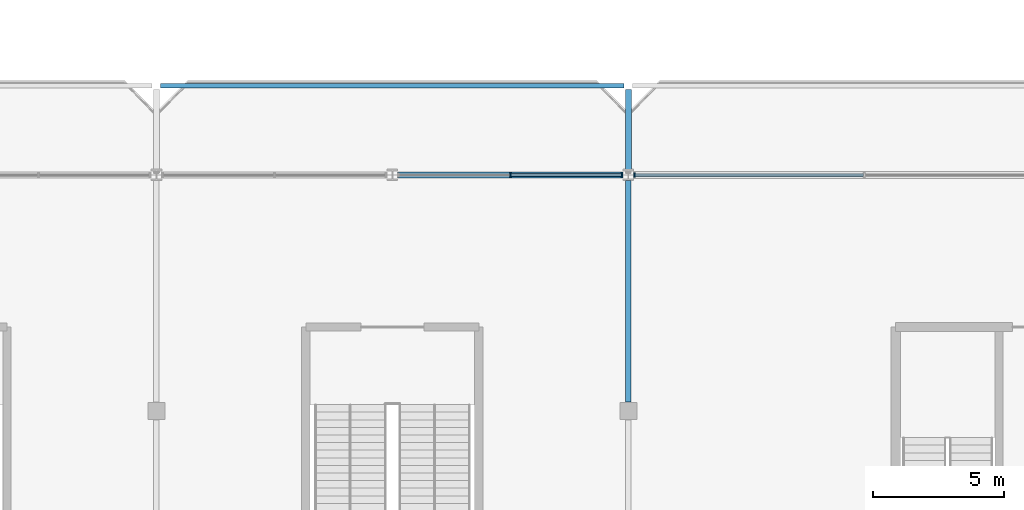
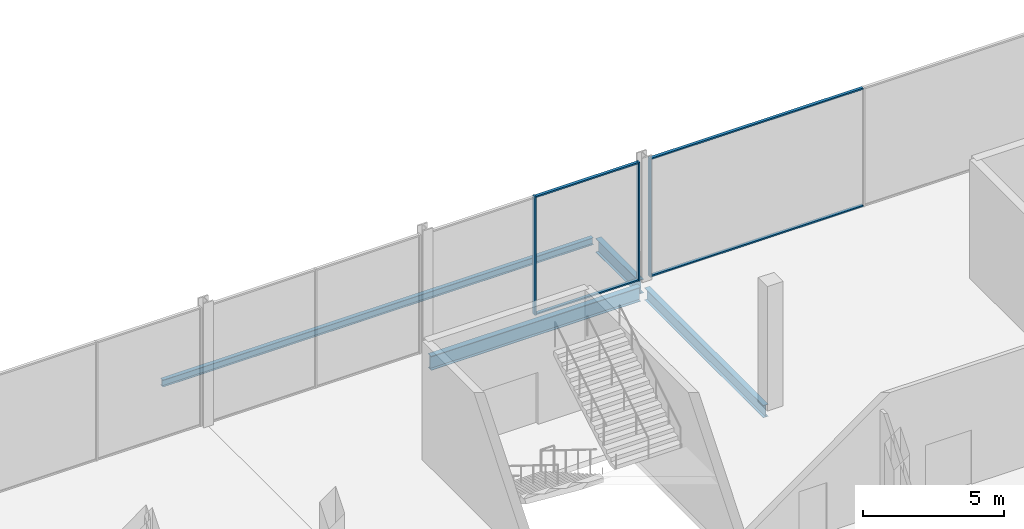
# One storey, part 26 of 113: 7 members, 4 beams, 2 elements without a shape of their own.
"""IFC4 building model written with IfcOpenShell, lengths in metres."""

from ifc_helpers import new_model, si_unit, direction, frame, origin, origin_2d, place, context, subcontext, project, spatial, rectangle, i_section, extrude, material, layer, layer_set, material_profile, profile_set, type_object, element, aggregate, save


model = new_model("IFC4")

# Units and contexts
model_context = context("Model", 3, precision=1e-05, world=origin(), true_north=direction((0.0, 1.0)))
body_context = subcontext(model_context, "Body", "Model", "MODEL_VIEW")
ifc_project = project(units=[si_unit("LENGTHUNIT", "METRE"), si_unit("AREAUNIT", "SQUARE_METRE"), si_unit("VOLUMEUNIT", "CUBIC_METRE"), si_unit("PLANEANGLEUNIT", "RADIAN"), si_unit("MASSUNIT", "GRAM", prefix="KILO")], contexts=[model_context])

# Site, building, storey
site_placement = place(None, origin())
site = spatial("IfcSite", under=ifc_project, at=site_placement, CompositionType="ELEMENT")
building_placement = place(site_placement, origin())
building = spatial("IfcBuilding", under=site, at=building_placement, Name="Kisiwana Market Hall", CompositionType="ELEMENT")
storey_placement = place(building_placement, frame((0.0, 0.0, 6.0)))
storey = spatial("IfcBuildingStorey", under=building, at=storey_placement, Name="L01", CompositionType="ELEMENT", Elevation=6.0)

# Beams
ifc_material_1 = material(Name="Steel S355", Category="steel")
ifc_material_profile_1 = material_profile(ifc_material_1, i_section(OverallWidth=0.2275390625, OverallDepth=0.6025390625, WebThickness=0.010498046875, FlangeThickness=0.014892578125, at=origin_2d()), Name="UB 610x229x101")
ifc_profile_set_1 = profile_set([ifc_material_profile_1], Name="Steel S355")
beam_type_1 = type_object("IfcBeamType", Name="BM-CANT-PROW", PredefinedType="BEAM", material=ifc_profile_set_1)
beam_1_placement = place(storey_placement, frame((117.0, 36.21337890625, -0.501220703125), z_axis=(0.0, 1.0, 0.0), x_axis=(-1.0, 0.0, 0.0)))
element("IfcBeam", 1, at=beam_1_placement, inside=storey, type_object=beam_type_1, Name="Gallery prow girder B-0589", PredefinedType="BEAM", context=body_context, shape_type="SweptSolid", body=[
    extrude(i_section(OverallWidth=0.2275390625, OverallDepth=0.6025390625, WebThickness=0.010498046875, FlangeThickness=0.014892578125, at=origin_2d()), origin(), (0.0, 0.0, 1.0), 3.03662109375),
])
ifc_material_2 = material(Name="Steel S355", Category="steel")
ifc_material_profile_2 = material_profile(ifc_material_2, i_section(OverallWidth=0.209228515625, OverallDepth=0.533203125, WebThickness=0.010009765625, FlangeThickness=0.015625, at=origin_2d()), Name="UB 533x210x92")
ifc_profile_set_2 = profile_set([ifc_material_profile_2], Name="Steel S355")
beam_type_2 = type_object("IfcBeamType", Name="BM-GIRD-UB533", PredefinedType="BEAM", material=ifc_profile_set_2)
beam_2_placement = place(storey_placement, frame((117.0, 27.345947265625, -0.5166015625), z_axis=(0.0, 1.0, 0.0), x_axis=(-1.0, 0.0, 0.0)))
element("IfcBeam", 2, at=beam_2_placement, inside=storey, type_object=beam_type_2, Name="Primary girder B-0381", PredefinedType="BEAM", context=body_context, shape_type="SweptSolid", body=[
    extrude(i_section(OverallWidth=0.209228515625, OverallDepth=0.533203125, WebThickness=0.010009765625, FlangeThickness=0.015625, at=origin_2d()), origin(), (0.0, 0.0, 1.0), 8.440673828125),
])
ifc_material_3 = material(Name="Steel S355", Category="steel")
ifc_material_profile_3 = material_profile(ifc_material_3, i_section(OverallWidth=0.22900390625, OverallDepth=0.6123046875, WebThickness=0.011962890625, FlangeThickness=0.01953125, at=origin_2d()), Name="UB 610x229x125")
ifc_profile_set_3 = profile_set([ifc_material_profile_3], Name="Steel S355")
beam_type_3 = type_object("IfcBeamType", Name="BM-GIRD-UB610H", PredefinedType="BEAM", material=ifc_profile_set_3)
beam_3_placement = place(storey_placement, frame((108.201904296875, 36.0, -0.55615234375), z_axis=(1.0, 0.0, 0.0), x_axis=(0.0, 1.0, 0.0)))
element("IfcBeam", 3, at=beam_3_placement, inside=storey, type_object=beam_type_3, Name="Floor beam B-0494", PredefinedType="BEAM", context=body_context, shape_type="SweptSolid", body=[
    extrude(i_section(OverallWidth=0.22900390625, OverallDepth=0.6123046875, WebThickness=0.011962890625, FlangeThickness=0.01953125, at=origin_2d()), origin(), (0.0, 0.0, 1.0), 8.59619140625),
])
ifc_material_4 = material(Name="Steel S355", Category="steel")
ifc_material_profile_4 = material_profile(ifc_material_4, i_section(OverallWidth=0.1650390625, OverallDepth=0.303466796875, WebThickness=0.006103515625, FlangeThickness=0.01025390625, at=origin_2d()), Name="UB 305x165x40")
ifc_profile_set_4 = profile_set([ifc_material_profile_4], Name="Steel S355")
beam_type_4 = type_object("IfcBeamType", Name="BM-JOIST-UB305", PredefinedType="JOIST", material=ifc_profile_set_4)
beam_4_placement = place(storey_placement, frame((99.159912109375, 39.39990234375, -0.351806640625), z_axis=(1.0, 0.0, 0.0), x_axis=(0.0, 1.0, 0.0)))
element("IfcBeam", 4, at=beam_4_placement, inside=storey, type_object=beam_type_4, Name="Prow edge tie B-0591", PredefinedType="JOIST", context=body_context, shape_type="SweptSolid", body=[
    extrude(i_section(OverallWidth=0.1650390625, OverallDepth=0.303466796875, WebThickness=0.006103515625, FlangeThickness=0.01025390625, at=origin_2d()), origin(), (0.0, 0.0, 1.0), 17.68017578125),
])

# Curtain wall, members
ifc_material_5 = material(Name="Double-glazed solar-control low-E IGU", Category="glass")
ifc_layer = layer(ifc_material_5, 0.159912109375)
ifc_layer_set = layer_set([ifc_layer], Name="CW-FC-N-8100")
curtain_wall_type = type_object("IfcCurtainWallType", Name="CW-FC-N-8100", PredefinedType="USERDEFINED", material=ifc_layer_set)
curtain_wall_1_placement = place(storey_placement, origin())
curtain_wall_1 = element("IfcCurtainWall", 5, at=curtain_wall_1_placement, inside=storey, type_object=curtain_wall_type, Name="Unitised curtain wall CW-022 (L01)", ObjectType="UNITISED CURTAIN WALL", PredefinedType="USERDEFINED")
ifc_material_6 = material(Name="Aluminium alloy 6063-T6", Category="aluminium")
ifc_material_profile_5 = material_profile(ifc_material_6, rectangle(XDim=0.06005859375, YDim=0.159912109375, at=origin_2d()), Name="ALU MULLION 60x160")
ifc_profile_set_5 = profile_set([ifc_material_profile_5], Name="Aluminium alloy 6063-T6")
member_type_1 = type_object("IfcMemberType", Name="CW-MULL-60x160", PredefinedType="MULLION", material=ifc_profile_set_5)
member_1_placement = place(storey_placement, frame((112.5, 36.0, 0.0), z_axis=(0.0, 0.0, 1.0), x_axis=(1.0, 0.0, 0.0)))
member_1 = element("IfcMember", 6, at=member_1_placement, type_object=member_type_1, Name="CW-022 mullion 2", PredefinedType="MULLION", context=body_context, shape_type="SweptSolid", body=[
    extrude(rectangle(XDim=0.06005859375, YDim=0.159912109375, at=origin_2d()), origin(), (0.0, 0.0, 1.0), 5.14990234375),
])
member_2_placement = place(storey_placement, frame((116.763916015625, 36.0, 0.0), z_axis=(0.0, 0.0, 1.0), x_axis=(1.0, 0.0, 0.0)))
member_2 = element("IfcMember", 7, at=member_2_placement, type_object=member_type_1, Name="CW-022 mullion 3", PredefinedType="MULLION", context=body_context, shape_type="SweptSolid", body=[
    extrude(rectangle(XDim=0.06005859375, YDim=0.159912109375, at=origin_2d()), origin(), (0.0, 0.0, 1.0), 5.14990234375),
])

# Curtain wall, member
curtain_wall_2_placement = place(storey_placement, origin())
curtain_wall_2 = element("IfcCurtainWall", 8, at=curtain_wall_2_placement, inside=storey, type_object=curtain_wall_type, Name="Unitised curtain wall CW-023 (L01)", ObjectType="UNITISED CURTAIN WALL", PredefinedType="USERDEFINED")
member_3_placement = place(storey_placement, frame((117.236083984375, 36.0, 0.0), z_axis=(0.0, 0.0, 1.0), x_axis=(1.0, 0.0, 0.0)))
member_3 = element("IfcMember", 9, at=member_3_placement, type_object=member_type_1, Name="CW-023 mullion 1", PredefinedType="MULLION", context=body_context, shape_type="SweptSolid", body=[
    extrude(rectangle(XDim=0.06005859375, YDim=0.159912109375, at=origin_2d()), origin(), (0.0, 0.0, 1.0), 5.14990234375),
])

# Member
ifc_material_7 = material(Name="Aluminium alloy 6063-T6", Category="aluminium")
ifc_material_profile_6 = material_profile(ifc_material_7, rectangle(XDim=0.1201171875, YDim=0.06005859375, at=origin_2d()), Name="ALU TRANSOM 60x120")
ifc_profile_set_6 = profile_set([ifc_material_profile_6], Name="Aluminium alloy 6063-T6")
member_type_2 = type_object("IfcMemberType", Name="CW-TRAN-60x120", PredefinedType="USERDEFINED", material=ifc_profile_set_6)
member_4_placement = place(storey_placement, frame((112.530029296875, 36.0, 0.030029296875), z_axis=(1.0, 0.0, 0.0), x_axis=(0.0, 1.0, 0.0)))
member_4 = element("IfcMember", 10, at=member_4_placement, type_object=member_type_2, Name="CW-022 transom 2.1", ObjectType="TRANSOM", PredefinedType="USERDEFINED", context=body_context, shape_type="SweptSolid", body=[
    extrude(rectangle(XDim=0.1201171875, YDim=0.06005859375, at=origin_2d()), origin(), (0.0, 0.0, 1.0), 4.203857421875),
])

member_5_placement = place(storey_placement, frame((112.530029296875, 36.0, 5.1201171875), z_axis=(1.0, 0.0, 0.0), x_axis=(0.0, 1.0, 0.0)))
member_5 = element("IfcMember", 11, at=member_5_placement, type_object=member_type_2, Name="CW-022 transom 2.2", ObjectType="TRANSOM", PredefinedType="USERDEFINED", context=body_context, shape_type="SweptSolid", body=[
    extrude(rectangle(XDim=0.1201171875, YDim=0.06005859375, at=origin_2d()), origin(), (0.0, 0.0, 1.0), 4.203857421875),
])

aggregate(curtain_wall_1, [member_1, member_2, member_4, member_5])

member_6_placement = place(storey_placement, frame((117.26611328125, 36.0, 0.030029296875), z_axis=(1.0, 0.0, 0.0), x_axis=(0.0, 1.0, 0.0)))
member_6 = element("IfcMember", 12, at=member_6_placement, type_object=member_type_2, Name="CW-023 transom 1.1", ObjectType="TRANSOM", PredefinedType="USERDEFINED", context=body_context, shape_type="SweptSolid", body=[
    extrude(rectangle(XDim=0.1201171875, YDim=0.06005859375, at=origin_2d()), origin(), (0.0, 0.0, 1.0), 8.703857421875),
])

member_7_placement = place(storey_placement, frame((117.26611328125, 36.0, 5.1201171875), z_axis=(1.0, 0.0, 0.0), x_axis=(0.0, 1.0, 0.0)))
member_7 = element("IfcMember", 13, at=member_7_placement, type_object=member_type_2, Name="CW-023 transom 1.2", ObjectType="TRANSOM", PredefinedType="USERDEFINED", context=body_context, shape_type="SweptSolid", body=[
    extrude(rectangle(XDim=0.1201171875, YDim=0.06005859375, at=origin_2d()), origin(), (0.0, 0.0, 1.0), 8.703857421875),
])

aggregate(curtain_wall_2, [member_3, member_6, member_7])

save(model, "model.ifc")
